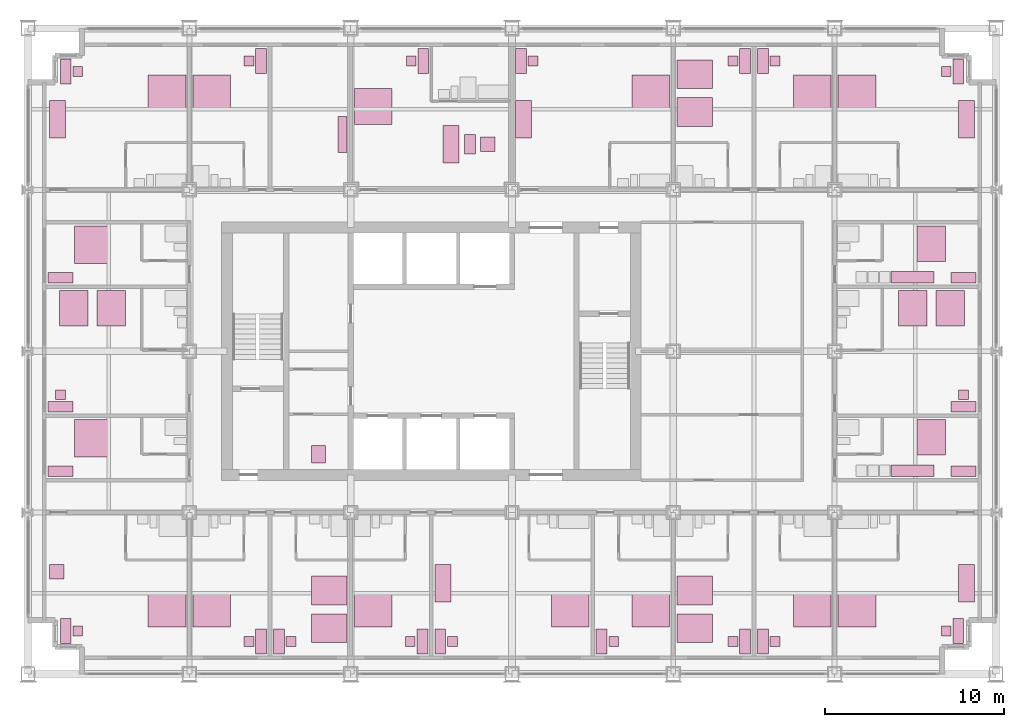
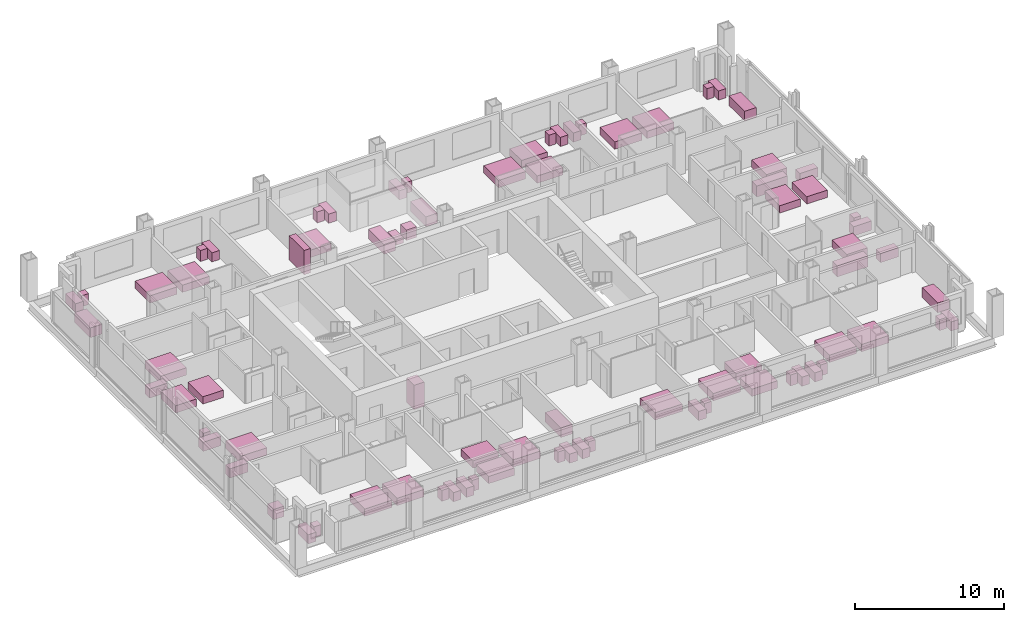
# One storey, part 18 of 18: 80 furniture elements.
"""IFC4 building model written with IfcOpenShell, lengths in metres."""

import ifcopenshell
import ifcopenshell.guid

model = None  # the IFC model being written
_history = None  # IfcOwnerHistory: only IFC2X3 demands one
_inside = {}  # id of a spatial element -> (the spatial element, [elements in it])
_under = {}  # id of a project, library or spatial element -> (it, [spatial elements below it])
_declared = {}  # id of a project -> (the project, [libraries it declares])
_typed = {}  # id of a type object -> (the type object, [elements of that type])
_made_of = {}  # id of a material, layer set ... -> (it, [elements and type objects made of it])


def new_model(schema):
    """Start an empty IFC model of exactly this schema.

    Asked for "IFC4X3", IfcOpenShell would pick the latest addendum, in which some entities
    have other attributes; the version numbers below select the first issue.
    IFC2X3 requires an IfcOwnerHistory on every rooted entity: one is made here for all.
    """
    global model, _history
    if schema == "IFC4X3":
        model = ifcopenshell.file(schema_version=(4, 3, 0, 0))
    else:
        model = ifcopenshell.file(schema=schema)
    _inside.clear()
    _under.clear()
    _declared.clear()
    _typed.clear()
    _made_of.clear()
    _history = None
    if model.schema == "IFC2X3":
        org = make("IfcOrganization", Name="unknown")
        user = make(
            "IfcPersonAndOrganization",
            ThePerson=make("IfcPerson", FamilyName="unknown"),
            TheOrganization=org,
        )
        app = make(
            "IfcApplication",
            ApplicationDeveloper=org,
            Version="unknown",
            ApplicationFullName="unknown",
            ApplicationIdentifier="unknown",
        )
        _history = make(
            "IfcOwnerHistory",
            OwningUser=user,
            OwningApplication=app,
            ChangeAction="ADDED",
            CreationDate=0,
        )
    return model


def make(cls, **values):
    """One entity of the class cls with the attributes given. An attribute that is None is left unset."""
    return model.create_entity(
        cls, **{name: value for name, value in values.items() if value is not None}
    )


def rooted(cls, **values):
    """An entity with a GlobalId (a new one), such as an element, a storey or a relation."""
    return make(cls, GlobalId=ifcopenshell.guid.new(), OwnerHistory=_history, **values)


def si_unit(unit_type, name, prefix=None):
    """IfcSIUnit, for example si_unit("LENGTHUNIT", "METRE", prefix="MILLI")."""
    return make("IfcSIUnit", UnitType=unit_type, Prefix=prefix, Name=name)


def assignment(units):
    """IfcUnitAssignment: the units of a project."""
    return None if units is None else make("IfcUnitAssignment", Units=units)


def point(xyz):
    """IfcCartesianPoint."""
    return None if xyz is None else make("IfcCartesianPoint", Coordinates=xyz)


def direction(xyz):
    """IfcDirection."""
    return None if xyz is None else make("IfcDirection", DirectionRatios=xyz)


def frame(location, z_axis=None, x_axis=None):
    """IfcAxis2Placement3D, a coordinate frame: its origin and axes. An axis left out is left unset."""
    return make(
        "IfcAxis2Placement3D",
        Location=point(location),
        Axis=direction(z_axis),
        RefDirection=direction(x_axis),
    )


def frame_2d(location, x_axis=None):
    """IfcAxis2Placement2D, a coordinate frame in the plane: its origin and x axis."""
    return make(
        "IfcAxis2Placement2D", Location=point(location), RefDirection=direction(x_axis)
    )


def origin():
    """The frame at (0, 0, 0) with its axes left unset."""
    return frame((0.0, 0.0, 0.0))


def origin_2d():
    """The frame at (0, 0) in the plane with its x axis left unset."""
    return frame_2d((0.0, 0.0))


def place(relative_to, where):
    """IfcLocalPlacement: puts the frame where relative to a parent placement (None: the world)."""
    return make(
        "IfcLocalPlacement", PlacementRelTo=relative_to, RelativePlacement=where
    )


def context(
    kind, dimensions, precision=None, world=None, true_north=None, identifier=None
):
    """IfcGeometricRepresentationContext, for example the 3D "Model" context."""
    return make(
        "IfcGeometricRepresentationContext",
        ContextIdentifier=identifier,
        ContextType=kind,
        CoordinateSpaceDimension=dimensions,
        Precision=precision,
        WorldCoordinateSystem=world,
        TrueNorth=true_north,
    )


def subcontext(parent, identifier, kind, view, scale=None):
    """IfcGeometricRepresentationSubContext, for example "Body" below "Model"."""
    return make(
        "IfcGeometricRepresentationSubContext",
        ContextIdentifier=identifier,
        ContextType=kind,
        ParentContext=parent,
        TargetScale=scale,
        TargetView=view,
    )


def project(units=None, contexts=None):
    """IfcProject with its units and contexts."""
    return rooted(
        "IfcProject",
        Name="project",
        RepresentationContexts=contexts,
        UnitsInContext=assignment(units),
    )


def spatial(cls, under=None, at=None, **own):
    """A site, building, storey or space (cls), placed at a placement, below another one or the project."""
    s = rooted(cls, ObjectPlacement=at, **own)
    if under is not None:
        _under.setdefault(under.id(), (under, []))[1].append(s)
    return s


def profile(cls, at=None, kind="AREA", **sizes):
    """A parametric profile (cls). Its sizes go by their IFC names, for example OverallWidth=200.0."""
    return make(cls, ProfileType=kind, Position=at, **sizes)


def rectangle(**sizes):
    """IfcRectangleProfileDef."""
    return profile("IfcRectangleProfileDef", **sizes)


def extrude(swept, where, along, depth):
    """IfcExtrudedAreaSolid: the profile swept, set in the frame where, extruded along a direction by depth."""
    return make(
        "IfcExtrudedAreaSolid",
        SweptArea=swept,
        Position=where,
        ExtrudedDirection=direction(along),
        Depth=depth,
    )


def shape(context_of_items, identifier, shape_type, items):
    """IfcShapeRepresentation: the items that make up one representation, for example the "Body"."""
    return make(
        "IfcShapeRepresentation",
        ContextOfItems=context_of_items,
        RepresentationIdentifier=identifier,
        RepresentationType=shape_type,
        Items=items,
    )


def made_of(thing, what):
    """Note that an element or type object is made of a material, layer set ...; save() writes the relation."""
    if what is not None:
        _made_of.setdefault(what.id(), (what, []))[1].append(thing)
    return thing


def element(
    cls,
    number,
    at=None,
    inside=None,
    cuts=None,
    type_object=None,
    material=None,
    context=None,
    identifier="Body",
    shape_type=None,
    held_by="IfcProductDefinitionShape",
    body=None,
    shapes=None,
    **own,
):
    """One element of the class cls, such as IfcWall. Its Tag is "e" and its number.

    at: its placement. inside: the storey or other place that contains it. cuts: it is an
    opening in that element (IfcRelVoidsElement). A single representation is given by context,
    identifier, shape_type and body (its items); several are given by shapes. held_by: the class
    of the entity that holds the representations. save() writes the other relations.
    """
    e = rooted(cls, Tag="e%d" % number, ObjectPlacement=at, **own)
    if body is not None:
        shapes = [shape(context, identifier, shape_type, body)]
    if shapes is not None:
        e.Representation = make(held_by, Representations=shapes)
    if inside is not None:
        _inside.setdefault(inside.id(), (inside, []))[1].append(e)
    if cuts is not None:
        rooted(
            "IfcRelVoidsElement", RelatingBuildingElement=cuts, RelatedOpeningElement=e
        )
    if type_object is not None:
        _typed.setdefault(type_object.id(), (type_object, []))[1].append(e)
    return made_of(e, material)


def aggregate(whole, parts):
    """IfcRelAggregates: a whole, such as a stair, and the parts it consists of."""
    return rooted("IfcRelAggregates", RelatingObject=whole, RelatedObjects=parts)


def save(model, path):
    """Write the relations noted so far, then the file.

    IfcRelAggregates (storeys below a building ...), IfcRelContainedInSpatialStructure (elements
    in a storey), IfcRelDefinesByType, IfcRelAssociatesMaterial and IfcRelDeclares: one each for
    every whole, place, type object, material and project.
    """
    for whole, parts in _under.values():
        aggregate(whole, parts)
    for where, things in _inside.values():
        rooted(
            "IfcRelContainedInSpatialStructure",
            RelatedElements=things,
            RelatingStructure=where,
        )
    for kind, things in _typed.values():
        rooted("IfcRelDefinesByType", RelatedObjects=things, RelatingType=kind)
    for what, things in _made_of.values():
        rooted("IfcRelAssociatesMaterial", RelatedObjects=things, RelatingMaterial=what)
    for by, libraries in _declared.values():
        rooted("IfcRelDeclares", RelatingContext=by, RelatedDefinitions=libraries)
    model.write(path)


model = new_model("IFC4")

# Units and contexts
model_context = context("Model", 3, precision=1e-05, world=origin(), true_north=direction((0.0, 1.0)))
body_context = subcontext(model_context, "Body", "Model", "MODEL_VIEW")
ifc_project = project(units=[si_unit("LENGTHUNIT", "METRE"), si_unit("AREAUNIT", "SQUARE_METRE"), si_unit("VOLUMEUNIT", "CUBIC_METRE"), si_unit("PLANEANGLEUNIT", "RADIAN"), si_unit("MASSUNIT", "GRAM", prefix="KILO")], contexts=[model_context])

# Site, building, storey
site_placement = place(None, origin())
site = spatial("IfcSite", under=ifc_project, at=site_placement, CompositionType="ELEMENT")
building_placement = place(site_placement, origin())
building = spatial("IfcBuilding", under=site, at=building_placement, Name="Loomwork Tower", CompositionType="ELEMENT")
storey_placement = place(building_placement, frame((0.0, 0.0, 82.39990234375)))
storey = spatial("IfcBuildingStorey", under=building, at=storey_placement, Name="L21", CompositionType="ELEMENT", Elevation=82.39990234375)

# Furniture
furniture_1_placement = place(storey_placement, frame((7.75, 3.60009765625, 0.0), z_axis=(0.0, 0.0, 1.0), x_axis=(1.0, 0.0, 0.0)))
element("IfcFurniture", 1, at=furniture_1_placement, inside=storey, Name="King bed L21", PredefinedType="BED", context=body_context, shape_type="SweptSolid", body=[
    extrude(rectangle(XDim=2.10009765625, YDim=2.0, at=origin_2d()), origin(), (0.0, 0.0, 1.0), 0.60009765625),
])
furniture_2_placement = place(storey_placement, frame((2.10009765625, 2.39990234375, 0.0), z_axis=(0.0, 0.0, 1.0), x_axis=(1.0, 0.0, 0.0)))
element("IfcFurniture", 2, at=furniture_2_placement, inside=storey, Name="Writing desk L21", PredefinedType="DESK", context=body_context, shape_type="SweptSolid", body=[
    extrude(rectangle(XDim=0.60009765625, YDim=1.39990234375, at=origin_2d()), origin(), (0.0, 0.0, 1.0), 0.75),
])
furniture_3_placement = place(storey_placement, frame((2.77490234375, 2.39990234375, 0.000244140625), z_axis=(0.0, 0.0, 1.0), x_axis=(1.0, 0.0, 0.0)))
element("IfcFurniture", 3, at=furniture_3_placement, inside=storey, Name="Desk chair L21", PredefinedType="CHAIR", context=body_context, shape_type="SweptSolid", body=[
    extrude(rectangle(XDim=0.550048828125, YDim=0.550048828125, at=origin_2d()), origin(), (0.0, 0.0, 1.0), 0.89990234375),
])
furniture_4_placement = place(storey_placement, frame((1.60009765625, 5.699951171875, 0.0), z_axis=(0.0, 0.0, 1.0), x_axis=(1.0, 0.0, 0.0)))
element("IfcFurniture", 4, at=furniture_4_placement, inside=storey, Name="Lounge armchair L21", PredefinedType="CHAIR", context=body_context, shape_type="SweptSolid", body=[
    extrude(rectangle(XDim=0.800048828125, YDim=0.800048828125, at=origin_2d()), origin(), (0.0, 0.0, 1.0), 0.85009765625),
])
furniture_5_placement = place(storey_placement, frame((10.25, 3.60009765625, 0.0), z_axis=(0.0, 0.0, 1.0), x_axis=(1.0, 0.0, 0.0)))
element("IfcFurniture", 5, at=furniture_5_placement, inside=storey, Name="King bed L21", PredefinedType="BED", context=body_context, shape_type="SweptSolid", body=[
    extrude(rectangle(XDim=2.10009765625, YDim=2.0, at=origin_2d()), origin(), (0.0, 0.0, 1.0), 0.60009765625),
])
furniture_6_placement = place(storey_placement, frame((13.0, 1.800048828125, 0.0), z_axis=(0.0, 0.0, 1.0), x_axis=(1.0, 0.0, 0.0)))
element("IfcFurniture", 6, at=furniture_6_placement, inside=storey, Name="Writing desk L21", PredefinedType="DESK", context=body_context, shape_type="SweptSolid", body=[
    extrude(rectangle(XDim=0.60009765625, YDim=1.39990234375, at=origin_2d()), origin(), (0.0, 0.0, 1.0), 0.75),
])
furniture_7_placement = place(storey_placement, frame((12.324951171875, 1.800048828125, 0.000244140625), z_axis=(0.0, 0.0, 1.0), x_axis=(1.0, 0.0, 0.0)))
element("IfcFurniture", 7, at=furniture_7_placement, inside=storey, Name="Desk chair L21", PredefinedType="CHAIR", context=body_context, shape_type="SweptSolid", body=[
    extrude(rectangle(XDim=0.550048828125, YDim=0.550048828125, at=origin_2d()), origin(), (0.0, 0.0, 1.0), 0.89990234375),
])
for number, where, z_axis, x_axis, name in (
    (8, (16.800048828125, 4.64990234375, 0.0), (0.0, 0.0, 1.0), (1.0, 0.0, 0.0), "Queen bed L21"),
    (9, (16.800048828125, 2.550048828125, 0.0), (0.0, 0.0, 1.0), (1.0, 0.0, 0.0), "Queen bed L21"),
):
    element("IfcFurniture", number, at=place(storey_placement, frame(where, z_axis=z_axis, x_axis=x_axis)), inside=storey, Name=name, PredefinedType="BED", context=body_context, shape_type="SweptSolid", body=[
        extrude(rectangle(XDim=2.0, YDim=1.60009765625, at=origin_2d()), origin(), (0.0, 0.0, 1.0), 0.60009765625),
    ])
furniture_8_placement = place(storey_placement, frame((14.0, 1.800048828125, 0.0), z_axis=(0.0, 0.0, 1.0), x_axis=(1.0, 0.0, 0.0)))
element("IfcFurniture", 10, at=furniture_8_placement, inside=storey, Name="Writing desk L21", PredefinedType="DESK", context=body_context, shape_type="SweptSolid", body=[
    extrude(rectangle(XDim=0.60009765625, YDim=1.39990234375, at=origin_2d()), origin(), (0.0, 0.0, 1.0), 0.75),
])
furniture_9_placement = place(storey_placement, frame((14.675048828125, 1.800048828125, 0.000244140625), z_axis=(0.0, 0.0, 1.0), x_axis=(1.0, 0.0, 0.0)))
element("IfcFurniture", 11, at=furniture_9_placement, inside=storey, Name="Desk chair L21", PredefinedType="CHAIR", context=body_context, shape_type="SweptSolid", body=[
    extrude(rectangle(XDim=0.550048828125, YDim=0.550048828125, at=origin_2d()), origin(), (0.0, 0.0, 1.0), 0.89990234375),
])
furniture_10_placement = place(storey_placement, frame((19.25, 3.60009765625, 0.0), z_axis=(0.0, 0.0, 1.0), x_axis=(1.0, 0.0, 0.0)))
element("IfcFurniture", 12, at=furniture_10_placement, inside=storey, Name="King bed L21", PredefinedType="BED", context=body_context, shape_type="SweptSolid", body=[
    extrude(rectangle(XDim=2.10009765625, YDim=2.0, at=origin_2d()), origin(), (0.0, 0.0, 1.0), 0.60009765625),
])
furniture_11_placement = place(storey_placement, frame((22.0, 1.800048828125, 0.0), z_axis=(0.0, 0.0, 1.0), x_axis=(1.0, 0.0, 0.0)))
element("IfcFurniture", 13, at=furniture_11_placement, inside=storey, Name="Writing desk L21", PredefinedType="DESK", context=body_context, shape_type="SweptSolid", body=[
    extrude(rectangle(XDim=0.60009765625, YDim=1.39990234375, at=origin_2d()), origin(), (0.0, 0.0, 1.0), 0.75),
])
furniture_12_placement = place(storey_placement, frame((21.324951171875, 1.800048828125, 0.000244140625), z_axis=(0.0, 0.0, 1.0), x_axis=(1.0, 0.0, 0.0)))
element("IfcFurniture", 14, at=furniture_12_placement, inside=storey, Name="Desk chair L21", PredefinedType="CHAIR", context=body_context, shape_type="SweptSolid", body=[
    extrude(rectangle(XDim=0.550048828125, YDim=0.550048828125, at=origin_2d()), origin(), (0.0, 0.0, 1.0), 0.89990234375),
])
furniture_13_placement = place(storey_placement, frame((30.25, 3.60009765625, 0.0), z_axis=(0.0, 0.0, 1.0), x_axis=(1.0, 0.0, 0.0)))
element("IfcFurniture", 15, at=furniture_13_placement, inside=storey, Name="King bed L21", PredefinedType="BED", context=body_context, shape_type="SweptSolid", body=[
    extrude(rectangle(XDim=2.10009765625, YDim=2.0, at=origin_2d()), origin(), (0.0, 0.0, 1.0), 0.60009765625),
])
furniture_14_placement = place(storey_placement, frame((23.0, 1.800048828125, 0.0), z_axis=(0.0, 0.0, 1.0), x_axis=(1.0, 0.0, 0.0)))
element("IfcFurniture", 16, at=furniture_14_placement, inside=storey, Name="Writing desk L21", PredefinedType="DESK", context=body_context, shape_type="SweptSolid", body=[
    extrude(rectangle(XDim=0.60009765625, YDim=1.39990234375, at=origin_2d()), origin(), (0.0, 0.0, 1.0), 0.75),
])
furniture_15_placement = place(storey_placement, frame((23.675048828125, 1.800048828125, 0.000244140625), z_axis=(0.0, 0.0, 1.0), x_axis=(1.0, 0.0, 0.0)))
element("IfcFurniture", 17, at=furniture_15_placement, inside=storey, Name="Desk chair L21", PredefinedType="CHAIR", context=body_context, shape_type="SweptSolid", body=[
    extrude(rectangle(XDim=0.550048828125, YDim=0.550048828125, at=origin_2d()), origin(), (0.0, 0.0, 1.0), 0.89990234375),
])
furniture_16_placement = place(storey_placement, frame((23.14990234375, 5.050048828125, 0.0), z_axis=(0.0, 0.0, 1.0), x_axis=(1.0, 0.0, 0.0)))
element("IfcFurniture", 18, at=furniture_16_placement, inside=storey, Name="Sofa L21", PredefinedType="SOFA", context=body_context, shape_type="SweptSolid", body=[
    extrude(rectangle(XDim=0.89990234375, YDim=2.10009765625, at=origin_2d()), origin(), (0.0, 0.0, 1.0), 0.800048828125),
])
furniture_17_placement = place(storey_placement, frame((34.75, 3.60009765625, 0.0), z_axis=(0.0, 0.0, 1.0), x_axis=(1.0, 0.0, 0.0)))
element("IfcFurniture", 19, at=furniture_17_placement, inside=storey, Name="King bed L21", PredefinedType="BED", context=body_context, shape_type="SweptSolid", body=[
    extrude(rectangle(XDim=2.10009765625, YDim=2.0, at=origin_2d()), origin(), (0.0, 0.0, 1.0), 0.60009765625),
])
furniture_18_placement = place(storey_placement, frame((32.0, 1.800048828125, 0.0), z_axis=(0.0, 0.0, 1.0), x_axis=(1.0, 0.0, 0.0)))
element("IfcFurniture", 20, at=furniture_18_placement, inside=storey, Name="Writing desk L21", PredefinedType="DESK", context=body_context, shape_type="SweptSolid", body=[
    extrude(rectangle(XDim=0.60009765625, YDim=1.39990234375, at=origin_2d()), origin(), (0.0, 0.0, 1.0), 0.75),
])
furniture_19_placement = place(storey_placement, frame((32.675048828125, 1.800048828125, 0.000244140625), z_axis=(0.0, 0.0, 1.0), x_axis=(1.0, 0.0, 0.0)))
element("IfcFurniture", 21, at=furniture_19_placement, inside=storey, Name="Desk chair L21", PredefinedType="CHAIR", context=body_context, shape_type="SweptSolid", body=[
    extrude(rectangle(XDim=0.550048828125, YDim=0.550048828125, at=origin_2d()), origin(), (0.0, 0.0, 1.0), 0.89990234375),
])
for number, where, z_axis, x_axis, name in (
    (22, (37.199951171875, 4.64990234375, 0.0), (0.0, 0.0, 1.0), (1.0, 0.0, 0.0), "Queen bed L21"),
    (23, (37.199951171875, 2.550048828125, 0.0), (0.0, 0.0, 1.0), (1.0, 0.0, 0.0), "Queen bed L21"),
):
    element("IfcFurniture", number, at=place(storey_placement, frame(where, z_axis=z_axis, x_axis=x_axis)), inside=storey, Name=name, PredefinedType="BED", context=body_context, shape_type="SweptSolid", body=[
        extrude(rectangle(XDim=2.0, YDim=1.60009765625, at=origin_2d()), origin(), (0.0, 0.0, 1.0), 0.60009765625),
    ])
furniture_20_placement = place(storey_placement, frame((40.0, 1.800048828125, 0.0), z_axis=(0.0, 0.0, 1.0), x_axis=(1.0, 0.0, 0.0)))
element("IfcFurniture", 24, at=furniture_20_placement, inside=storey, Name="Writing desk L21", PredefinedType="DESK", context=body_context, shape_type="SweptSolid", body=[
    extrude(rectangle(XDim=0.60009765625, YDim=1.39990234375, at=origin_2d()), origin(), (0.0, 0.0, 1.0), 0.75),
])
furniture_21_placement = place(storey_placement, frame((39.324951171875, 1.800048828125, 0.000244140625), z_axis=(0.0, 0.0, 1.0), x_axis=(1.0, 0.0, 0.0)))
element("IfcFurniture", 25, at=furniture_21_placement, inside=storey, Name="Desk chair L21", PredefinedType="CHAIR", context=body_context, shape_type="SweptSolid", body=[
    extrude(rectangle(XDim=0.550048828125, YDim=0.550048828125, at=origin_2d()), origin(), (0.0, 0.0, 1.0), 0.89990234375),
])
furniture_22_placement = place(storey_placement, frame((43.75, 3.60009765625, 0.0), z_axis=(0.0, 0.0, 1.0), x_axis=(1.0, 0.0, 0.0)))
element("IfcFurniture", 26, at=furniture_22_placement, inside=storey, Name="King bed L21", PredefinedType="BED", context=body_context, shape_type="SweptSolid", body=[
    extrude(rectangle(XDim=2.10009765625, YDim=2.0, at=origin_2d()), origin(), (0.0, 0.0, 1.0), 0.60009765625),
])
furniture_23_placement = place(storey_placement, frame((41.0, 1.800048828125, 0.0), z_axis=(0.0, 0.0, 1.0), x_axis=(1.0, 0.0, 0.0)))
element("IfcFurniture", 27, at=furniture_23_placement, inside=storey, Name="Writing desk L21", PredefinedType="DESK", context=body_context, shape_type="SweptSolid", body=[
    extrude(rectangle(XDim=0.60009765625, YDim=1.39990234375, at=origin_2d()), origin(), (0.0, 0.0, 1.0), 0.75),
])
furniture_24_placement = place(storey_placement, frame((41.675048828125, 1.800048828125, 0.000244140625), z_axis=(0.0, 0.0, 1.0), x_axis=(1.0, 0.0, 0.0)))
element("IfcFurniture", 28, at=furniture_24_placement, inside=storey, Name="Desk chair L21", PredefinedType="CHAIR", context=body_context, shape_type="SweptSolid", body=[
    extrude(rectangle(XDim=0.550048828125, YDim=0.550048828125, at=origin_2d()), origin(), (0.0, 0.0, 1.0), 0.89990234375),
])
furniture_25_placement = place(storey_placement, frame((46.25, 3.60009765625, 0.0), z_axis=(0.0, 0.0, 1.0), x_axis=(1.0, 0.0, 0.0)))
element("IfcFurniture", 29, at=furniture_25_placement, inside=storey, Name="King bed L21", PredefinedType="BED", context=body_context, shape_type="SweptSolid", body=[
    extrude(rectangle(XDim=2.10009765625, YDim=2.0, at=origin_2d()), origin(), (0.0, 0.0, 1.0), 0.60009765625),
])
furniture_26_placement = place(storey_placement, frame((51.89990234375, 2.39990234375, 0.0), z_axis=(0.0, 0.0, 1.0), x_axis=(1.0, 0.0, 0.0)))
element("IfcFurniture", 30, at=furniture_26_placement, inside=storey, Name="Writing desk L21", PredefinedType="DESK", context=body_context, shape_type="SweptSolid", body=[
    extrude(rectangle(XDim=0.60009765625, YDim=1.39990234375, at=origin_2d()), origin(), (0.0, 0.0, 1.0), 0.75),
])
furniture_27_placement = place(storey_placement, frame((51.22509765625, 2.39990234375, 0.000244140625), z_axis=(0.0, 0.0, 1.0), x_axis=(1.0, 0.0, 0.0)))
element("IfcFurniture", 31, at=furniture_27_placement, inside=storey, Name="Desk chair L21", PredefinedType="CHAIR", context=body_context, shape_type="SweptSolid", body=[
    extrude(rectangle(XDim=0.550048828125, YDim=0.550048828125, at=origin_2d()), origin(), (0.0, 0.0, 1.0), 0.89990234375),
])
furniture_28_placement = place(storey_placement, frame((52.35009765625, 5.050048828125, 0.0), z_axis=(0.0, 0.0, 1.0), x_axis=(1.0, 0.0, 0.0)))
element("IfcFurniture", 32, at=furniture_28_placement, inside=storey, Name="Sofa L21", PredefinedType="SOFA", context=body_context, shape_type="SweptSolid", body=[
    extrude(rectangle(XDim=0.89990234375, YDim=2.10009765625, at=origin_2d()), origin(), (0.0, 0.0, 1.0), 0.800048828125),
])
furniture_29_placement = place(storey_placement, frame((7.75, 32.39990234375, 0.0), z_axis=(0.0, 0.0, 1.0), x_axis=(1.0, 0.0, 0.0)))
element("IfcFurniture", 33, at=furniture_29_placement, inside=storey, Name="King bed L21", PredefinedType="BED", context=body_context, shape_type="SweptSolid", body=[
    extrude(rectangle(XDim=2.10009765625, YDim=2.0, at=origin_2d()), origin(), (0.0, 0.0, 1.0), 0.60009765625),
])
furniture_30_placement = place(storey_placement, frame((2.10009765625, 33.60009765625, 0.0), z_axis=(0.0, 0.0, 1.0), x_axis=(1.0, 0.0, 0.0)))
element("IfcFurniture", 34, at=furniture_30_placement, inside=storey, Name="Writing desk L21", PredefinedType="DESK", context=body_context, shape_type="SweptSolid", body=[
    extrude(rectangle(XDim=0.60009765625, YDim=1.39990234375, at=origin_2d()), origin(), (0.0, 0.0, 1.0), 0.75),
])
furniture_31_placement = place(storey_placement, frame((2.77490234375, 33.60009765625, 0.000244140625), z_axis=(0.0, 0.0, 1.0), x_axis=(1.0, 0.0, 0.0)))
element("IfcFurniture", 35, at=furniture_31_placement, inside=storey, Name="Desk chair L21", PredefinedType="CHAIR", context=body_context, shape_type="SweptSolid", body=[
    extrude(rectangle(XDim=0.550048828125, YDim=0.550048828125, at=origin_2d()), origin(), (0.0, 0.0, 1.0), 0.89990234375),
])
furniture_32_placement = place(storey_placement, frame((1.64990234375, 30.949951171875, 0.0), z_axis=(0.0, 0.0, 1.0), x_axis=(1.0, 0.0, 0.0)))
element("IfcFurniture", 36, at=furniture_32_placement, inside=storey, Name="Sofa L21", PredefinedType="SOFA", context=body_context, shape_type="SweptSolid", body=[
    extrude(rectangle(XDim=0.89990234375, YDim=2.10009765625, at=origin_2d()), origin(), (0.0, 0.0, 1.0), 0.800048828125),
])
furniture_33_placement = place(storey_placement, frame((10.25, 32.39990234375, 0.0), z_axis=(0.0, 0.0, 1.0), x_axis=(1.0, 0.0, 0.0)))
element("IfcFurniture", 37, at=furniture_33_placement, inside=storey, Name="King bed L21", PredefinedType="BED", context=body_context, shape_type="SweptSolid", body=[
    extrude(rectangle(XDim=2.10009765625, YDim=2.0, at=origin_2d()), origin(), (0.0, 0.0, 1.0), 0.60009765625),
])
furniture_34_placement = place(storey_placement, frame((13.0, 34.199951171875, 0.0), z_axis=(0.0, 0.0, 1.0), x_axis=(1.0, 0.0, 0.0)))
element("IfcFurniture", 38, at=furniture_34_placement, inside=storey, Name="Writing desk L21", PredefinedType="DESK", context=body_context, shape_type="SweptSolid", body=[
    extrude(rectangle(XDim=0.60009765625, YDim=1.39990234375, at=origin_2d()), origin(), (0.0, 0.0, 1.0), 0.75),
])
furniture_35_placement = place(storey_placement, frame((12.324951171875, 34.199951171875, 0.000244140625), z_axis=(0.0, 0.0, 1.0), x_axis=(1.0, 0.0, 0.0)))
element("IfcFurniture", 39, at=furniture_35_placement, inside=storey, Name="Desk chair L21", PredefinedType="CHAIR", context=body_context, shape_type="SweptSolid", body=[
    extrude(rectangle(XDim=0.550048828125, YDim=0.550048828125, at=origin_2d()), origin(), (0.0, 0.0, 1.0), 0.89990234375),
])
furniture_36_placement = place(storey_placement, frame((17.550048828125, 30.10009765625, 0.0), z_axis=(0.0, 0.0, 1.0), x_axis=(1.0, 0.0, 0.0)))
element("IfcFurniture", 40, at=furniture_36_placement, inside=storey, Name="Linen shelving L21", PredefinedType="SHELF", context=body_context, shape_type="SweptSolid", body=[
    extrude(rectangle(XDim=0.5, YDim=2.0, at=origin_2d()), origin(), (0.0, 0.0, 1.0), 2.0),
])
furniture_37_placement = place(storey_placement, frame((19.25, 31.64990234375, 0.0), z_axis=(0.0, 0.0, 1.0), x_axis=(1.0, 0.0, 0.0)))
element("IfcFurniture", 41, at=furniture_37_placement, inside=storey, Name="King bed L21", PredefinedType="BED", context=body_context, shape_type="SweptSolid", body=[
    extrude(rectangle(XDim=2.10009765625, YDim=2.0, at=origin_2d()), origin(), (0.0, 0.0, 1.0), 0.60009765625),
])
furniture_38_placement = place(storey_placement, frame((22.050048828125, 34.199951171875, 0.0), z_axis=(0.0, 0.0, 1.0), x_axis=(1.0, 0.0, 0.0)))
element("IfcFurniture", 42, at=furniture_38_placement, inside=storey, Name="Writing desk L21", PredefinedType="DESK", context=body_context, shape_type="SweptSolid", body=[
    extrude(rectangle(XDim=0.60009765625, YDim=1.39990234375, at=origin_2d()), origin(), (0.0, 0.0, 1.0), 0.75),
])
furniture_39_placement = place(storey_placement, frame((21.375, 34.199951171875, 0.000244140625), z_axis=(0.0, 0.0, 1.0), x_axis=(1.0, 0.0, 0.0)))
element("IfcFurniture", 43, at=furniture_39_placement, inside=storey, Name="Desk chair L21", PredefinedType="CHAIR", context=body_context, shape_type="SweptSolid", body=[
    extrude(rectangle(XDim=0.550048828125, YDim=0.550048828125, at=origin_2d()), origin(), (0.0, 0.0, 1.0), 0.89990234375),
])
furniture_40_placement = place(storey_placement, frame((23.60009765625, 29.550048828125, 0.0), z_axis=(0.0, 0.0, 1.0), x_axis=(1.0, 0.0, 0.0)))
element("IfcFurniture", 44, at=furniture_40_placement, inside=storey, Name="Sofa L21", PredefinedType="SOFA", context=body_context, shape_type="SweptSolid", body=[
    extrude(rectangle(XDim=0.89990234375, YDim=2.10009765625, at=origin_2d()), origin(), (0.0, 0.0, 1.0), 0.800048828125),
])
furniture_41_placement = place(storey_placement, frame((24.64990234375, 29.550048828125, 0.0), z_axis=(0.0, 0.0, 1.0), x_axis=(1.0, 0.0, 0.0)))
element("IfcFurniture", 45, at=furniture_41_placement, inside=storey, Name="Coffee table L21", PredefinedType="TABLE", context=body_context, shape_type="SweptSolid", body=[
    extrude(rectangle(XDim=0.60009765625, YDim=1.10009765625, at=origin_2d()), origin(), (0.0, 0.0, 1.0), 0.449951171875),
])
furniture_42_placement = place(storey_placement, frame((25.64990234375, 29.550048828125, 0.0), z_axis=(0.0, 0.0, 1.0), x_axis=(1.0, 0.0, 0.0)))
element("IfcFurniture", 46, at=furniture_42_placement, inside=storey, Name="Lounge armchair L21", PredefinedType="CHAIR", context=body_context, shape_type="SweptSolid", body=[
    extrude(rectangle(XDim=0.800048828125, YDim=0.800048828125, at=origin_2d()), origin(), (0.0, 0.0, 1.0), 0.85009765625),
])
furniture_43_placement = place(storey_placement, frame((34.75, 32.39990234375, 0.0), z_axis=(0.0, 0.0, 1.0), x_axis=(1.0, 0.0, 0.0)))
element("IfcFurniture", 47, at=furniture_43_placement, inside=storey, Name="King bed L21", PredefinedType="BED", context=body_context, shape_type="SweptSolid", body=[
    extrude(rectangle(XDim=2.10009765625, YDim=2.0, at=origin_2d()), origin(), (0.0, 0.0, 1.0), 0.60009765625),
])
furniture_44_placement = place(storey_placement, frame((27.5, 34.199951171875, 0.0), z_axis=(0.0, 0.0, 1.0), x_axis=(1.0, 0.0, 0.0)))
element("IfcFurniture", 48, at=furniture_44_placement, inside=storey, Name="Writing desk L21", PredefinedType="DESK", context=body_context, shape_type="SweptSolid", body=[
    extrude(rectangle(XDim=0.60009765625, YDim=1.39990234375, at=origin_2d()), origin(), (0.0, 0.0, 1.0), 0.75),
])
furniture_45_placement = place(storey_placement, frame((28.175048828125, 34.199951171875, 0.000244140625), z_axis=(0.0, 0.0, 1.0), x_axis=(1.0, 0.0, 0.0)))
element("IfcFurniture", 49, at=furniture_45_placement, inside=storey, Name="Desk chair L21", PredefinedType="CHAIR", context=body_context, shape_type="SweptSolid", body=[
    extrude(rectangle(XDim=0.550048828125, YDim=0.550048828125, at=origin_2d()), origin(), (0.0, 0.0, 1.0), 0.89990234375),
])
furniture_46_placement = place(storey_placement, frame((27.64990234375, 30.949951171875, 0.0), z_axis=(0.0, 0.0, 1.0), x_axis=(1.0, 0.0, 0.0)))
element("IfcFurniture", 50, at=furniture_46_placement, inside=storey, Name="Sofa L21", PredefinedType="SOFA", context=body_context, shape_type="SweptSolid", body=[
    extrude(rectangle(XDim=0.89990234375, YDim=2.10009765625, at=origin_2d()), origin(), (0.0, 0.0, 1.0), 0.800048828125),
])
for number, where, z_axis, x_axis, name in (
    (51, (37.199951171875, 31.35009765625, 0.0), (0.0, 0.0, 1.0), (1.0, 0.0, 0.0), "Queen bed L21"),
    (52, (37.199951171875, 33.449951171875, 0.0), (0.0, 0.0, 1.0), (1.0, 0.0, 0.0), "Queen bed L21"),
):
    element("IfcFurniture", number, at=place(storey_placement, frame(where, z_axis=z_axis, x_axis=x_axis)), inside=storey, Name=name, PredefinedType="BED", context=body_context, shape_type="SweptSolid", body=[
        extrude(rectangle(XDim=2.0, YDim=1.60009765625, at=origin_2d()), origin(), (0.0, 0.0, 1.0), 0.60009765625),
    ])
furniture_47_placement = place(storey_placement, frame((40.0, 34.199951171875, 0.0), z_axis=(0.0, 0.0, 1.0), x_axis=(1.0, 0.0, 0.0)))
element("IfcFurniture", 53, at=furniture_47_placement, inside=storey, Name="Writing desk L21", PredefinedType="DESK", context=body_context, shape_type="SweptSolid", body=[
    extrude(rectangle(XDim=0.60009765625, YDim=1.39990234375, at=origin_2d()), origin(), (0.0, 0.0, 1.0), 0.75),
])
furniture_48_placement = place(storey_placement, frame((39.324951171875, 34.199951171875, 0.000244140625), z_axis=(0.0, 0.0, 1.0), x_axis=(1.0, 0.0, 0.0)))
element("IfcFurniture", 54, at=furniture_48_placement, inside=storey, Name="Desk chair L21", PredefinedType="CHAIR", context=body_context, shape_type="SweptSolid", body=[
    extrude(rectangle(XDim=0.550048828125, YDim=0.550048828125, at=origin_2d()), origin(), (0.0, 0.0, 1.0), 0.89990234375),
])
furniture_49_placement = place(storey_placement, frame((43.75, 32.39990234375, 0.0), z_axis=(0.0, 0.0, 1.0), x_axis=(1.0, 0.0, 0.0)))
element("IfcFurniture", 55, at=furniture_49_placement, inside=storey, Name="King bed L21", PredefinedType="BED", context=body_context, shape_type="SweptSolid", body=[
    extrude(rectangle(XDim=2.10009765625, YDim=2.0, at=origin_2d()), origin(), (0.0, 0.0, 1.0), 0.60009765625),
])
furniture_50_placement = place(storey_placement, frame((41.0, 34.199951171875, 0.0), z_axis=(0.0, 0.0, 1.0), x_axis=(1.0, 0.0, 0.0)))
element("IfcFurniture", 56, at=furniture_50_placement, inside=storey, Name="Writing desk L21", PredefinedType="DESK", context=body_context, shape_type="SweptSolid", body=[
    extrude(rectangle(XDim=0.60009765625, YDim=1.39990234375, at=origin_2d()), origin(), (0.0, 0.0, 1.0), 0.75),
])
furniture_51_placement = place(storey_placement, frame((41.675048828125, 34.199951171875, 0.000244140625), z_axis=(0.0, 0.0, 1.0), x_axis=(1.0, 0.0, 0.0)))
element("IfcFurniture", 57, at=furniture_51_placement, inside=storey, Name="Desk chair L21", PredefinedType="CHAIR", context=body_context, shape_type="SweptSolid", body=[
    extrude(rectangle(XDim=0.550048828125, YDim=0.550048828125, at=origin_2d()), origin(), (0.0, 0.0, 1.0), 0.89990234375),
])
furniture_52_placement = place(storey_placement, frame((46.25, 32.39990234375, 0.0), z_axis=(0.0, 0.0, 1.0), x_axis=(1.0, 0.0, 0.0)))
element("IfcFurniture", 58, at=furniture_52_placement, inside=storey, Name="King bed L21", PredefinedType="BED", context=body_context, shape_type="SweptSolid", body=[
    extrude(rectangle(XDim=2.10009765625, YDim=2.0, at=origin_2d()), origin(), (0.0, 0.0, 1.0), 0.60009765625),
])
furniture_53_placement = place(storey_placement, frame((51.89990234375, 33.60009765625, 0.0), z_axis=(0.0, 0.0, 1.0), x_axis=(1.0, 0.0, 0.0)))
element("IfcFurniture", 59, at=furniture_53_placement, inside=storey, Name="Writing desk L21", PredefinedType="DESK", context=body_context, shape_type="SweptSolid", body=[
    extrude(rectangle(XDim=0.60009765625, YDim=1.39990234375, at=origin_2d()), origin(), (0.0, 0.0, 1.0), 0.75),
])
furniture_54_placement = place(storey_placement, frame((51.22509765625, 33.60009765625, 0.000244140625), z_axis=(0.0, 0.0, 1.0), x_axis=(1.0, 0.0, 0.0)))
element("IfcFurniture", 60, at=furniture_54_placement, inside=storey, Name="Desk chair L21", PredefinedType="CHAIR", context=body_context, shape_type="SweptSolid", body=[
    extrude(rectangle(XDim=0.550048828125, YDim=0.550048828125, at=origin_2d()), origin(), (0.0, 0.0, 1.0), 0.89990234375),
])
furniture_55_placement = place(storey_placement, frame((52.35009765625, 30.949951171875, 0.0), z_axis=(0.0, 0.0, 1.0), x_axis=(1.0, 0.0, 0.0)))
element("IfcFurniture", 61, at=furniture_55_placement, inside=storey, Name="Sofa L21", PredefinedType="SOFA", context=body_context, shape_type="SweptSolid", body=[
    extrude(rectangle(XDim=0.89990234375, YDim=2.10009765625, at=origin_2d()), origin(), (0.0, 0.0, 1.0), 0.800048828125),
])
furniture_56_placement = place(storey_placement, frame((3.60009765625, 13.14990234375, 0.0), z_axis=(0.0, 0.0, 1.0), x_axis=(1.0, 0.0, 0.0)))
element("IfcFurniture", 62, at=furniture_56_placement, inside=storey, Name="King bed L21", PredefinedType="BED", context=body_context, shape_type="SweptSolid", body=[
    extrude(rectangle(XDim=2.0, YDim=2.10009765625, at=origin_2d()), origin(), (0.0, 0.0, 1.0), 0.60009765625),
])
furniture_57_placement = place(storey_placement, frame((1.800048828125, 11.300048828125, 0.0), z_axis=(0.0, 0.0, 1.0), x_axis=(1.0, 0.0, 0.0)))
element("IfcFurniture", 63, at=furniture_57_placement, inside=storey, Name="Writing desk L21", PredefinedType="DESK", context=body_context, shape_type="SweptSolid", body=[
    extrude(rectangle(XDim=1.39990234375, YDim=0.60009765625, at=origin_2d()), origin(), (0.0, 0.0, 1.0), 0.75),
])
for number, where, z_axis, x_axis, name in (
    (64, (4.64990234375, 20.39990234375, 0.0), (0.0, 0.0, 1.0), (1.0, 0.0, 0.0), "Queen bed L21"),
    (65, (2.550048828125, 20.39990234375, 0.0), (0.0, 0.0, 1.0), (1.0, 0.0, 0.0), "Queen bed L21"),
):
    element("IfcFurniture", number, at=place(storey_placement, frame(where, z_axis=z_axis, x_axis=x_axis)), inside=storey, Name=name, PredefinedType="BED", context=body_context, shape_type="SweptSolid", body=[
        extrude(rectangle(XDim=1.60009765625, YDim=2.0, at=origin_2d()), origin(), (0.0, 0.0, 1.0), 0.60009765625),
    ])
furniture_58_placement = place(storey_placement, frame((1.800048828125, 14.89990234375, 0.0), z_axis=(0.0, 0.0, 1.0), x_axis=(1.0, 0.0, 0.0)))
element("IfcFurniture", 66, at=furniture_58_placement, inside=storey, Name="Writing desk L21", PredefinedType="DESK", context=body_context, shape_type="SweptSolid", body=[
    extrude(rectangle(XDim=1.39990234375, YDim=0.60009765625, at=origin_2d()), origin(), (0.0, 0.0, 1.0), 0.75),
])
furniture_59_placement = place(storey_placement, frame((1.800048828125, 15.574951171875, 0.000244140625), z_axis=(0.0, 0.0, 1.0), x_axis=(1.0, 0.0, 0.0)))
element("IfcFurniture", 67, at=furniture_59_placement, inside=storey, Name="Desk chair L21", PredefinedType="CHAIR", context=body_context, shape_type="SweptSolid", body=[
    extrude(rectangle(XDim=0.550048828125, YDim=0.550048828125, at=origin_2d()), origin(), (0.0, 0.0, 1.0), 0.89990234375),
])
furniture_60_placement = place(storey_placement, frame((3.60009765625, 23.949951171875, 0.0), z_axis=(0.0, 0.0, 1.0), x_axis=(1.0, 0.0, 0.0)))
element("IfcFurniture", 68, at=furniture_60_placement, inside=storey, Name="King bed L21", PredefinedType="BED", context=body_context, shape_type="SweptSolid", body=[
    extrude(rectangle(XDim=2.0, YDim=2.10009765625, at=origin_2d()), origin(), (0.0, 0.0, 1.0), 0.60009765625),
])
furniture_61_placement = place(storey_placement, frame((1.800048828125, 22.10009765625, 0.0), z_axis=(0.0, 0.0, 1.0), x_axis=(1.0, 0.0, 0.0)))
element("IfcFurniture", 69, at=furniture_61_placement, inside=storey, Name="Writing desk L21", PredefinedType="DESK", context=body_context, shape_type="SweptSolid", body=[
    extrude(rectangle(XDim=1.39990234375, YDim=0.60009765625, at=origin_2d()), origin(), (0.0, 0.0, 1.0), 0.75),
])
furniture_62_placement = place(storey_placement, frame((50.39990234375, 13.199951171875, 0.0), z_axis=(0.0, 0.0, 1.0), x_axis=(1.0, 0.0, 0.0)))
element("IfcFurniture", 70, at=furniture_62_placement, inside=storey, Name="Queen bed L21", PredefinedType="BED", context=body_context, shape_type="SweptSolid", body=[
    extrude(rectangle(XDim=1.60009765625, YDim=2.0, at=origin_2d()), origin(), (0.0, 0.0, 1.0), 0.60009765625),
])
furniture_63_placement = place(storey_placement, frame((52.199951171875, 11.300048828125, 0.0), z_axis=(0.0, 0.0, 1.0), x_axis=(1.0, 0.0, 0.0)))
element("IfcFurniture", 71, at=furniture_63_placement, inside=storey, Name="Writing desk L21", PredefinedType="DESK", context=body_context, shape_type="SweptSolid", body=[
    extrude(rectangle(XDim=1.39990234375, YDim=0.60009765625, at=origin_2d()), origin(), (0.0, 0.0, 1.0), 0.75),
])
furniture_64_placement = place(storey_placement, frame((49.35009765625, 11.324951171875, 0.000244140625), z_axis=(0.0, 0.0, 1.0), x_axis=(1.0, 0.0, 0.0)))
element("IfcFurniture", 72, at=furniture_64_placement, inside=storey, Name="Kitchenette counter L21", ObjectType="KITCHENETTE", PredefinedType="USERDEFINED", context=body_context, shape_type="SweptSolid", body=[
    extrude(rectangle(XDim=2.39990234375, YDim=0.64990234375, at=origin_2d()), origin(), (0.0, 0.0, 1.0), 0.89990234375),
])
for number, where, z_axis, x_axis, name in (
    (73, (49.35009765625, 20.39990234375, 0.0), (0.0, 0.0, 1.0), (1.0, 0.0, 0.0), "Queen bed L21"),
    (74, (51.449951171875, 20.39990234375, 0.0), (0.0, 0.0, 1.0), (1.0, 0.0, 0.0), "Queen bed L21"),
):
    element("IfcFurniture", number, at=place(storey_placement, frame(where, z_axis=z_axis, x_axis=x_axis)), inside=storey, Name=name, PredefinedType="BED", context=body_context, shape_type="SweptSolid", body=[
        extrude(rectangle(XDim=1.60009765625, YDim=2.0, at=origin_2d()), origin(), (0.0, 0.0, 1.0), 0.60009765625),
    ])
furniture_65_placement = place(storey_placement, frame((52.199951171875, 14.89990234375, 0.0), z_axis=(0.0, 0.0, 1.0), x_axis=(1.0, 0.0, 0.0)))
element("IfcFurniture", 75, at=furniture_65_placement, inside=storey, Name="Writing desk L21", PredefinedType="DESK", context=body_context, shape_type="SweptSolid", body=[
    extrude(rectangle(XDim=1.39990234375, YDim=0.60009765625, at=origin_2d()), origin(), (0.0, 0.0, 1.0), 0.75),
])
furniture_66_placement = place(storey_placement, frame((52.199951171875, 15.574951171875, 0.000244140625), z_axis=(0.0, 0.0, 1.0), x_axis=(1.0, 0.0, 0.0)))
element("IfcFurniture", 76, at=furniture_66_placement, inside=storey, Name="Desk chair L21", PredefinedType="CHAIR", context=body_context, shape_type="SweptSolid", body=[
    extrude(rectangle(XDim=0.550048828125, YDim=0.550048828125, at=origin_2d()), origin(), (0.0, 0.0, 1.0), 0.89990234375),
])
furniture_67_placement = place(storey_placement, frame((50.39990234375, 24.0, 0.0), z_axis=(0.0, 0.0, 1.0), x_axis=(1.0, 0.0, 0.0)))
element("IfcFurniture", 77, at=furniture_67_placement, inside=storey, Name="Queen bed L21", PredefinedType="BED", context=body_context, shape_type="SweptSolid", body=[
    extrude(rectangle(XDim=1.60009765625, YDim=2.0, at=origin_2d()), origin(), (0.0, 0.0, 1.0), 0.60009765625),
])
furniture_68_placement = place(storey_placement, frame((52.199951171875, 22.10009765625, 0.0), z_axis=(0.0, 0.0, 1.0), x_axis=(1.0, 0.0, 0.0)))
element("IfcFurniture", 78, at=furniture_68_placement, inside=storey, Name="Writing desk L21", PredefinedType="DESK", context=body_context, shape_type="SweptSolid", body=[
    extrude(rectangle(XDim=1.39990234375, YDim=0.60009765625, at=origin_2d()), origin(), (0.0, 0.0, 1.0), 0.75),
])
furniture_69_placement = place(storey_placement, frame((49.35009765625, 22.125, 0.000244140625), z_axis=(0.0, 0.0, 1.0), x_axis=(1.0, 0.0, 0.0)))
element("IfcFurniture", 79, at=furniture_69_placement, inside=storey, Name="Kitchenette counter L21", ObjectType="KITCHENETTE", PredefinedType="USERDEFINED", context=body_context, shape_type="SweptSolid", body=[
    extrude(rectangle(XDim=2.39990234375, YDim=0.64990234375, at=origin_2d()), origin(), (0.0, 0.0, 1.0), 0.89990234375),
])
furniture_70_placement = place(storey_placement, frame((16.199951171875, 12.25, 0.0), z_axis=(0.0, 0.0, 1.0), x_axis=(1.0, 0.0, 0.0)))
element("IfcFurniture", 80, at=furniture_70_placement, inside=storey, Name="Data cabinet L21", ObjectType="DATA CABINET", PredefinedType="USERDEFINED", context=body_context, shape_type="SweptSolid", body=[
    extrude(rectangle(XDim=0.800048828125, YDim=1.0, at=origin_2d()), origin(), (0.0, 0.0, 1.0), 2.0),
])

save(model, "model.ifc")
